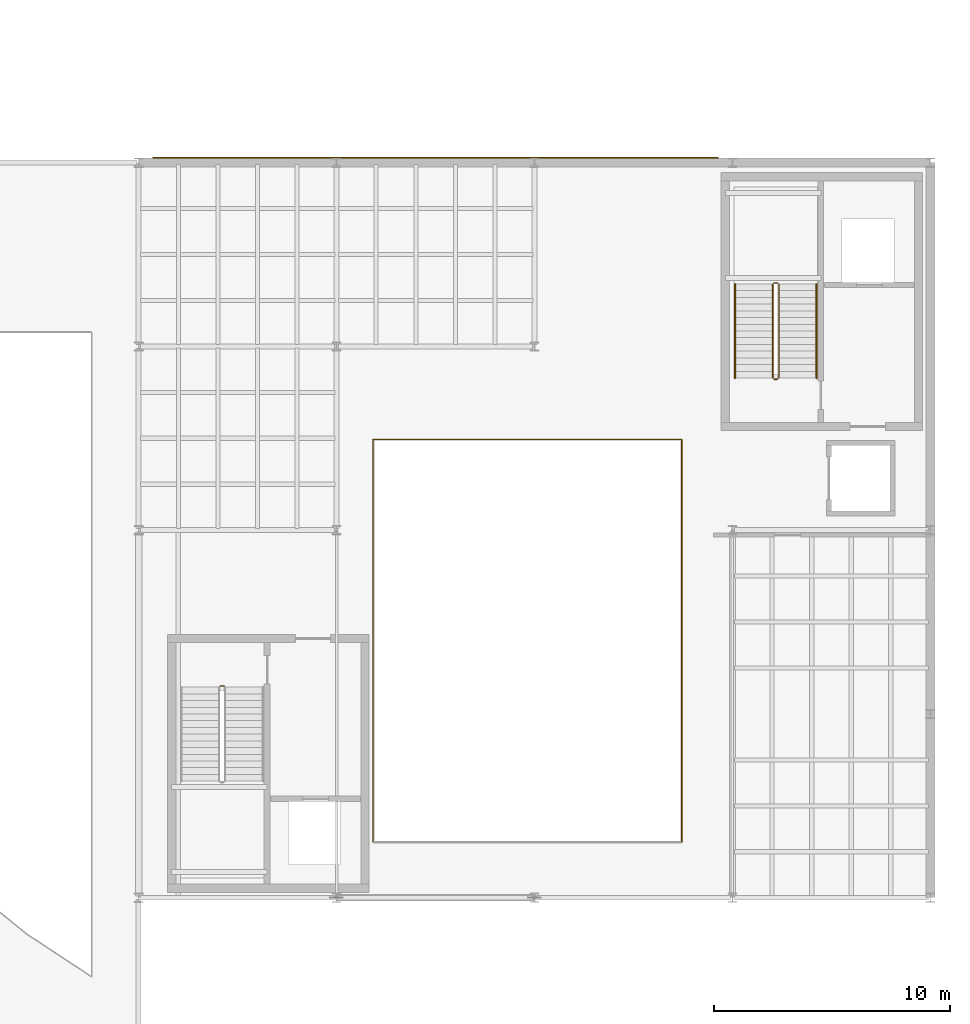
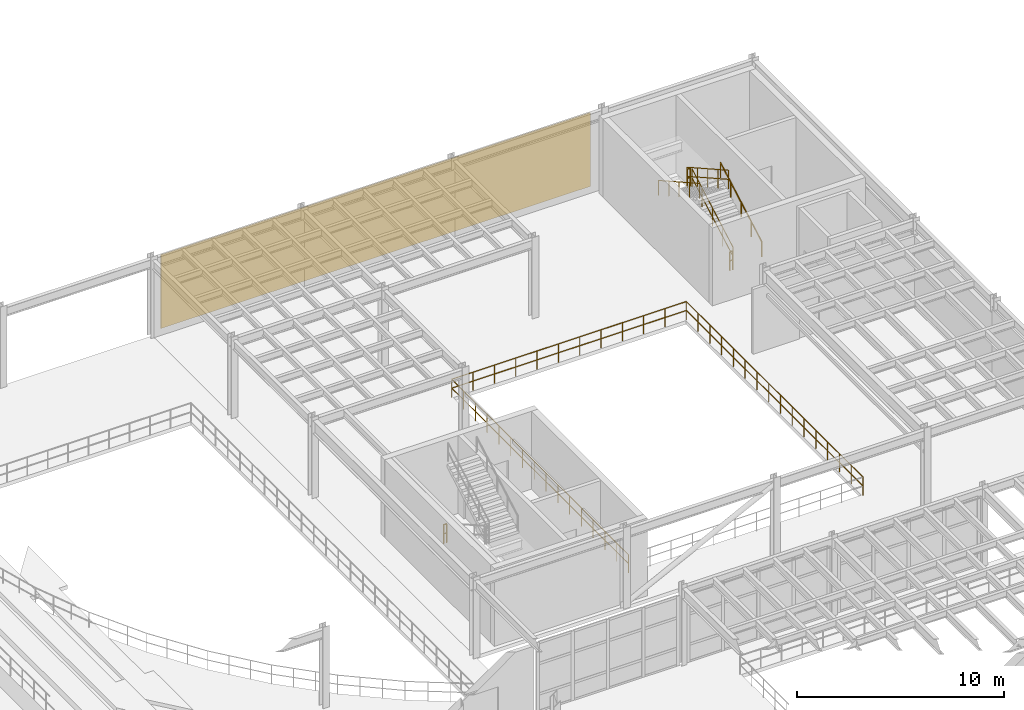
# One storey, part 101 of 105: 10 railings, 1 covering.
"""IFC4 building model written with IfcOpenShell, lengths in metres."""

from ifc_helpers import new_model, si_unit, direction, frame, origin, origin_2d, place, context, subcontext, project, spatial, polyline, circle, outline, extrude, material, layer, layer_set, type_object, element, save


model = new_model("IFC4")

# Units and contexts
model_context = context("Model", 3, precision=1e-05, world=origin(), true_north=direction((0.0, 1.0)))
body_context = subcontext(model_context, "Body", "Model", "MODEL_VIEW")
ifc_project = project(units=[si_unit("LENGTHUNIT", "METRE"), si_unit("AREAUNIT", "SQUARE_METRE"), si_unit("VOLUMEUNIT", "CUBIC_METRE"), si_unit("PLANEANGLEUNIT", "RADIAN"), si_unit("MASSUNIT", "GRAM", prefix="KILO")], contexts=[model_context])

# Site, building, storey
site_placement = place(None, origin())
site = spatial("IfcSite", under=ifc_project, at=site_placement, CompositionType="ELEMENT")
building_placement = place(site_placement, origin())
building = spatial("IfcBuilding", under=site, at=building_placement, Name="Selat Folded Stagehouse", CompositionType="ELEMENT")
storey_placement = place(building_placement, frame((0.0, 0.0, 10.199951171875)))
storey = spatial("IfcBuildingStorey", under=building, at=storey_placement, Name="L02", CompositionType="ELEMENT", Elevation=10.199951171875)

# Covering
ifc_material_1 = material(Name="Perforated bronze-anodised aluminium rainscreen", Category="aluminium")
ifc_layer_1 = layer(ifc_material_1, 0.044921875)
ifc_layer_set_1 = layer_set([ifc_layer_1], Name="Perforated bronze-anodised aluminium rainscreen")
covering_type = type_object("IfcCoveringType", Name="COV-CLAD-45A", PredefinedType="CLADDING", material=ifc_layer_set_1)
covering_placement = place(storey_placement, frame((0.0, 0.0, 0.10009765625)))
element("IfcCovering", 1, at=covering_placement, inside=storey, type_object=covering_type, Name="L02 fly-tower bronze rainscreen cladding 02", PredefinedType="CLADDING", context=body_context, shape_type="SweptSolid", body=[
    extrude(outline(polyline([(34.199951171875, 54.7900390625), (58.199951171875, 54.7900390625), (58.199951171875, 54.8349609375), (34.199951171875, 54.8349609375), (34.199951171875, 54.7900390625)])), origin(), (0.0, 0.0, 1.0), 4.349853515625),
])

# Railings
ifc_material_2 = material(Name="Bronze-anodised steel balustrade", Category="steel")
ifc_layer_2 = layer(ifc_material_2, 0.06494140625)
ifc_layer_set_2 = layer_set([ifc_layer_2], Name="Bronze-anodised steel balustrade")
railing_type_1 = type_object("IfcRailingType", Name="RLG-BAL-1120", PredefinedType="BALUSTRADE", material=ifc_layer_set_2)
railing_1_placement = place(storey_placement, frame((37.06005859375, 32.389892578125, 0.0)))
element("IfcRailing", 2, at=railing_1_placement, inside=storey, type_object=railing_type_1, Name="L02 ST-01 stair well guard 4", PredefinedType="BALUSTRADE", context=body_context, shape_type="SweptSolid", body=[
    extrude(circle(Radius=0.02392578125, at=origin_2d()), frame((0.0, 0.0, 1.09619140625), z_axis=(1.0, 0.0, 0.0), x_axis=(0.0, 1.0, 0.0)), (0.0, 0.0, 1.0), 0.159912109375),
    extrude(circle(Radius=0.02392578125, at=origin_2d()), frame((0.0, 0.0, 0.56005859375), z_axis=(1.0, 0.0, 0.0), x_axis=(0.0, 1.0, 0.0)), (0.0, 0.0, 1.0), 0.159912109375),
    extrude(circle(Radius=0.02099609375, at=origin_2d()), origin(), (0.0, 0.0, 1.0), 1.072021484375),
    extrude(circle(Radius=0.02099609375, at=origin_2d()), frame((0.159912109375, 0.0, 0.0)), (0.0, 0.0, 1.0), 1.072021484375),
])
railing_2_placement = place(storey_placement, frame((60.77001953125, 45.4599609375, 0.16015625)))
element("IfcRailing", 3, at=railing_2_placement, inside=storey, type_object=railing_type_1, Name="L02 ST-02 stair well guard 1", PredefinedType="BALUSTRADE", context=body_context, shape_type="SweptSolid", body=[
    extrude(circle(Radius=0.02392578125, at=origin_2d()), frame((0.0, 0.0, 1.09619140625), z_axis=(0.0, 0.871984184956, 0.489534044972), x_axis=(-1.0, 0.0, 0.0)), (0.0, 0.0, 1.0), 4.57568359375),
    extrude(circle(Radius=0.02392578125, at=origin_2d()), frame((0.0, 0.0, 0.56005859375), z_axis=(0.0, 0.871984184956, 0.489534044972), x_axis=(-1.0, 0.0, 0.0)), (0.0, 0.0, 1.0), 4.57568359375),
    extrude(circle(Radius=0.02099609375, at=origin_2d()), origin(), (0.0, 0.0, 1.0), 1.072021484375),
    extrude(circle(Radius=0.02099609375, at=origin_2d()), frame((0.0, 0.99755859375, 0.56005859375)), (0.0, 0.0, 1.0), 1.072021484375),
    extrude(circle(Radius=0.02099609375, at=origin_2d()), frame((0.0, 1.9951171875, 1.1201171875)), (0.0, 0.0, 1.0), 1.072021484375),
    extrude(circle(Radius=0.02099609375, at=origin_2d()), frame((0.0, 2.992431640625, 1.679931640625)), (0.0, 0.0, 1.0), 1.072021484375),
    extrude(circle(Radius=0.02099609375, at=origin_2d()), frame((0.0, 3.989990234375, 2.239990234375)), (0.0, 0.0, 1.0), 1.072021484375),
])
railing_3_placement = place(storey_placement, frame((60.719970703125, 49.5, 2.400146484375)))
element("IfcRailing", 4, at=railing_3_placement, inside=storey, type_object=railing_type_1, Name="L02 ST-02 stair well guard 2", PredefinedType="BALUSTRADE", context=body_context, shape_type="SweptSolid", body=[
    extrude(circle(Radius=0.02392578125, at=origin_2d()), frame((0.0, 0.0, 1.09619140625), z_axis=(-1.0, 0.0, 0.0), x_axis=(0.0, -1.0, 0.0)), (0.0, 0.0, 1.0), 0.159912109375),
    extrude(circle(Radius=0.02392578125, at=origin_2d()), frame((0.0, 0.0, 0.56005859375), z_axis=(-1.0, 0.0, 0.0), x_axis=(0.0, -1.0, 0.0)), (0.0, 0.0, 1.0), 0.159912109375),
    extrude(circle(Radius=0.02099609375, at=origin_2d()), origin(), (0.0, 0.0, 1.0), 1.072021484375),
    extrude(circle(Radius=0.02099609375, at=origin_2d()), frame((-0.159912109375, 0.0, 0.0)), (0.0, 0.0, 1.0), 1.072021484375),
])
railing_4_placement = place(storey_placement, frame((60.510009765625, 49.449951171875, 2.56005859375)))
element("IfcRailing", 5, at=railing_4_placement, inside=storey, type_object=railing_type_1, Name="L02 ST-02 stair well guard 3", PredefinedType="BALUSTRADE", context=body_context, shape_type="SweptSolid", body=[
    extrude(circle(Radius=0.02392578125, at=origin_2d()), frame((0.0, 0.0, 1.09619140625), z_axis=(0.0, -0.871984184956, 0.489534044972), x_axis=(1.0, 0.0, 0.0)), (0.0, 0.0, 1.0), 4.57568359375),
    extrude(circle(Radius=0.02392578125, at=origin_2d()), frame((0.0, 0.0, 0.56005859375), z_axis=(0.0, -0.871984184956, 0.489534044972), x_axis=(1.0, 0.0, 0.0)), (0.0, 0.0, 1.0), 4.57568359375),
    extrude(circle(Radius=0.02099609375, at=origin_2d()), origin(), (0.0, 0.0, 1.0), 1.072021484375),
    extrude(circle(Radius=0.02099609375, at=origin_2d()), frame((0.0, -0.99755859375, 0.56005859375)), (0.0, 0.0, 1.0), 1.072021484375),
    extrude(circle(Radius=0.02099609375, at=origin_2d()), frame((0.0, -1.9951171875, 1.1201171875)), (0.0, 0.0, 1.0), 1.072021484375),
    extrude(circle(Radius=0.02099609375, at=origin_2d()), frame((0.0, -2.992431640625, 1.679931640625)), (0.0, 0.0, 1.0), 1.072021484375),
    extrude(circle(Radius=0.02099609375, at=origin_2d()), frame((0.0, -3.989990234375, 2.239990234375)), (0.0, 0.0, 1.0), 1.072021484375),
])
railing_5_placement = place(storey_placement, frame((60.719970703125, 45.409912109375, 0.0)))
element("IfcRailing", 6, at=railing_5_placement, inside=storey, type_object=railing_type_1, Name="L02 ST-02 stair well guard 4", PredefinedType="BALUSTRADE", context=body_context, shape_type="SweptSolid", body=[
    extrude(circle(Radius=0.02392578125, at=origin_2d()), frame((0.0, 0.0, 1.09619140625), z_axis=(-1.0, 0.0, 0.0), x_axis=(0.0, -1.0, 0.0)), (0.0, 0.0, 1.0), 0.159912109375),
    extrude(circle(Radius=0.02392578125, at=origin_2d()), frame((0.0, 0.0, 0.56005859375), z_axis=(-1.0, 0.0, 0.0), x_axis=(0.0, -1.0, 0.0)), (0.0, 0.0, 1.0), 0.159912109375),
    extrude(circle(Radius=0.02099609375, at=origin_2d()), origin(), (0.0, 0.0, 1.0), 1.072021484375),
    extrude(circle(Radius=0.02099609375, at=origin_2d()), frame((-0.159912109375, 0.0, 0.0)), (0.0, 0.0, 1.0), 1.072021484375),
])
ifc_material_3 = material(Name="Stainless steel and laminated glass", Category="steel")
ifc_layer_3 = layer(ifc_material_3, 0.06005859375)
ifc_layer_set_3 = layer_set([ifc_layer_3], Name="Stainless steel and laminated glass")
railing_type_2 = type_object("IfcRailingType", Name="RLG-GUARD-1100", PredefinedType="GUARDRAIL", material=ifc_layer_set_3)
railing_6_placement = place(storey_placement, frame((56.64990234375, 25.75, 0.0)))
element("IfcRailing", 7, at=railing_6_placement, inside=storey, type_object=railing_type_2, Name="L02 protective guard railing 059", PredefinedType="GUARDRAIL", context=body_context, shape_type="SweptSolid", body=[
    extrude(circle(Radius=0.02392578125, at=origin_2d()), frame((0.0, 0.0, 1.076171875), z_axis=(0.0, 1.0, 0.0), x_axis=(-1.0, 0.0, 0.0)), (0.0, 0.0, 1.0), 17.10009765625),
    extrude(circle(Radius=0.02392578125, at=origin_2d()), frame((0.0, 0.0, 0.550048828125), z_axis=(0.0, 1.0, 0.0), x_axis=(-1.0, 0.0, 0.0)), (0.0, 0.0, 1.0), 17.10009765625),
    extrude(circle(Radius=0.02099609375, at=origin_2d()), origin(), (0.0, 0.0, 1.0), 1.052001953125),
    extrude(circle(Radius=0.02099609375, at=origin_2d()), frame((0.0, 1.139892578125, 0.0)), (0.0, 0.0, 1.0), 1.052001953125),
    extrude(circle(Radius=0.02099609375, at=origin_2d()), frame((0.0, 2.280029296875, 0.0)), (0.0, 0.0, 1.0), 1.052001953125),
    extrude(circle(Radius=0.02099609375, at=origin_2d()), frame((0.0, 3.419921875, 0.0)), (0.0, 0.0, 1.0), 1.052001953125),
    extrude(circle(Radius=0.02099609375, at=origin_2d()), frame((0.0, 4.56005859375, 0.0)), (0.0, 0.0, 1.0), 1.052001953125),
    extrude(circle(Radius=0.02099609375, at=origin_2d()), frame((0.0, 5.699951171875, 0.0)), (0.0, 0.0, 1.0), 1.052001953125),
    extrude(circle(Radius=0.02099609375, at=origin_2d()), frame((0.0, 6.840087890625, 0.0)), (0.0, 0.0, 1.0), 1.052001953125),
    extrude(circle(Radius=0.02099609375, at=origin_2d()), frame((0.0, 7.97998046875, 0.0)), (0.0, 0.0, 1.0), 1.052001953125),
    extrude(circle(Radius=0.02099609375, at=origin_2d()), frame((0.0, 9.1201171875, 0.0)), (0.0, 0.0, 1.0), 1.052001953125),
    extrude(circle(Radius=0.02099609375, at=origin_2d()), frame((0.0, 10.260009765625, 0.0)), (0.0, 0.0, 1.0), 1.052001953125),
    extrude(circle(Radius=0.02099609375, at=origin_2d()), frame((0.0, 11.400146484375, 0.0)), (0.0, 0.0, 1.0), 1.052001953125),
    extrude(circle(Radius=0.02099609375, at=origin_2d()), frame((0.0, 12.5400390625, 0.0)), (0.0, 0.0, 1.0), 1.052001953125),
    extrude(circle(Radius=0.02099609375, at=origin_2d()), frame((0.0, 13.68017578125, 0.0)), (0.0, 0.0, 1.0), 1.052001953125),
    extrude(circle(Radius=0.02099609375, at=origin_2d()), frame((0.0, 14.820068359375, 0.0)), (0.0, 0.0, 1.0), 1.052001953125),
    extrude(circle(Radius=0.02099609375, at=origin_2d()), frame((0.0, 15.960205078125, 0.0)), (0.0, 0.0, 1.0), 1.052001953125),
    extrude(circle(Radius=0.02099609375, at=origin_2d()), frame((0.0, 17.10009765625, 0.0)), (0.0, 0.0, 1.0), 1.052001953125),
])
railing_7_placement = place(storey_placement, frame((56.64990234375, 42.85009765625, 0.0)))
element("IfcRailing", 8, at=railing_7_placement, inside=storey, type_object=railing_type_2, Name="L02 protective guard railing 060", PredefinedType="GUARDRAIL", context=body_context, shape_type="SweptSolid", body=[
    extrude(circle(Radius=0.02392578125, at=origin_2d()), frame((0.0, 0.0, 1.076171875), z_axis=(-1.0, 0.0, 0.0), x_axis=(0.0, -1.0, 0.0)), (0.0, 0.0, 1.0), 13.099853515625),
    extrude(circle(Radius=0.02392578125, at=origin_2d()), frame((0.0, 0.0, 0.550048828125), z_axis=(-1.0, 0.0, 0.0), x_axis=(0.0, -1.0, 0.0)), (0.0, 0.0, 1.0), 13.099853515625),
    extrude(circle(Radius=0.02099609375, at=origin_2d()), origin(), (0.0, 0.0, 1.0), 1.052001953125),
    extrude(circle(Radius=0.02099609375, at=origin_2d()), frame((-1.19091796875, 0.0, 0.0)), (0.0, 0.0, 1.0), 1.052001953125),
    extrude(circle(Radius=0.02099609375, at=origin_2d()), frame((-2.3818359375, 0.0, 0.0)), (0.0, 0.0, 1.0), 1.052001953125),
    extrude(circle(Radius=0.02099609375, at=origin_2d()), frame((-3.57275390625, 0.0, 0.0)), (0.0, 0.0, 1.0), 1.052001953125),
    extrude(circle(Radius=0.02099609375, at=origin_2d()), frame((-4.763671875, 0.0, 0.0)), (0.0, 0.0, 1.0), 1.052001953125),
    extrude(circle(Radius=0.02099609375, at=origin_2d()), frame((-5.95458984375, 0.0, 0.0)), (0.0, 0.0, 1.0), 1.052001953125),
    extrude(circle(Radius=0.02099609375, at=origin_2d()), frame((-7.145263671875, 0.0, 0.0)), (0.0, 0.0, 1.0), 1.052001953125),
    extrude(circle(Radius=0.02099609375, at=origin_2d()), frame((-8.336181640625, 0.0, 0.0)), (0.0, 0.0, 1.0), 1.052001953125),
    extrude(circle(Radius=0.02099609375, at=origin_2d()), frame((-9.527099609375, 0.0, 0.0)), (0.0, 0.0, 1.0), 1.052001953125),
    extrude(circle(Radius=0.02099609375, at=origin_2d()), frame((-10.718017578125, 0.0, 0.0)), (0.0, 0.0, 1.0), 1.052001953125),
    extrude(circle(Radius=0.02099609375, at=origin_2d()), frame((-11.908935546875, 0.0, 0.0)), (0.0, 0.0, 1.0), 1.052001953125),
    extrude(circle(Radius=0.02099609375, at=origin_2d()), frame((-13.099853515625, 0.0, 0.0)), (0.0, 0.0, 1.0), 1.052001953125),
])
railing_8_placement = place(storey_placement, frame((43.550048828125, 42.85009765625, 0.0)))
element("IfcRailing", 9, at=railing_8_placement, inside=storey, type_object=railing_type_2, Name="L02 protective guard railing 061", PredefinedType="GUARDRAIL", context=body_context, shape_type="SweptSolid", body=[
    extrude(circle(Radius=0.02392578125, at=origin_2d()), frame((0.0, 0.0, 1.076171875), z_axis=(0.0, -1.0, 0.0), x_axis=(1.0, 0.0, 0.0)), (0.0, 0.0, 1.0), 17.10009765625),
    extrude(circle(Radius=0.02392578125, at=origin_2d()), frame((0.0, 0.0, 0.550048828125), z_axis=(0.0, -1.0, 0.0), x_axis=(1.0, 0.0, 0.0)), (0.0, 0.0, 1.0), 17.10009765625),
    extrude(circle(Radius=0.02099609375, at=origin_2d()), origin(), (0.0, 0.0, 1.0), 1.052001953125),
    extrude(circle(Radius=0.02099609375, at=origin_2d()), frame((0.0, -1.139892578125, 0.0)), (0.0, 0.0, 1.0), 1.052001953125),
    extrude(circle(Radius=0.02099609375, at=origin_2d()), frame((0.0, -2.280029296875, 0.0)), (0.0, 0.0, 1.0), 1.052001953125),
    extrude(circle(Radius=0.02099609375, at=origin_2d()), frame((0.0, -3.419921875, 0.0)), (0.0, 0.0, 1.0), 1.052001953125),
    extrude(circle(Radius=0.02099609375, at=origin_2d()), frame((0.0, -4.56005859375, 0.0)), (0.0, 0.0, 1.0), 1.052001953125),
    extrude(circle(Radius=0.02099609375, at=origin_2d()), frame((0.0, -5.699951171875, 0.0)), (0.0, 0.0, 1.0), 1.052001953125),
    extrude(circle(Radius=0.02099609375, at=origin_2d()), frame((0.0, -6.840087890625, 0.0)), (0.0, 0.0, 1.0), 1.052001953125),
    extrude(circle(Radius=0.02099609375, at=origin_2d()), frame((0.0, -7.97998046875, 0.0)), (0.0, 0.0, 1.0), 1.052001953125),
    extrude(circle(Radius=0.02099609375, at=origin_2d()), frame((0.0, -9.1201171875, 0.0)), (0.0, 0.0, 1.0), 1.052001953125),
    extrude(circle(Radius=0.02099609375, at=origin_2d()), frame((0.0, -10.260009765625, 0.0)), (0.0, 0.0, 1.0), 1.052001953125),
    extrude(circle(Radius=0.02099609375, at=origin_2d()), frame((0.0, -11.400146484375, 0.0)), (0.0, 0.0, 1.0), 1.052001953125),
    extrude(circle(Radius=0.02099609375, at=origin_2d()), frame((0.0, -12.5400390625, 0.0)), (0.0, 0.0, 1.0), 1.052001953125),
    extrude(circle(Radius=0.02099609375, at=origin_2d()), frame((0.0, -13.68017578125, 0.0)), (0.0, 0.0, 1.0), 1.052001953125),
    extrude(circle(Radius=0.02099609375, at=origin_2d()), frame((0.0, -14.820068359375, 0.0)), (0.0, 0.0, 1.0), 1.052001953125),
    extrude(circle(Radius=0.02099609375, at=origin_2d()), frame((0.0, -15.960205078125, 0.0)), (0.0, 0.0, 1.0), 1.052001953125),
    extrude(circle(Radius=0.02099609375, at=origin_2d()), frame((0.0, -17.10009765625, 0.0)), (0.0, 0.0, 1.0), 1.052001953125),
])
ifc_material_4 = material(Name="Brushed stainless steel 1.4301", Category="steel")
ifc_layer_4 = layer(ifc_material_4, 0.048095703125)
ifc_layer_set_4 = layer_set([ifc_layer_4], Name="Brushed stainless steel 1.4301")
railing_type_3 = type_object("IfcRailingType", Name="RLG-HANDRAIL-900", PredefinedType="HANDRAIL", material=ifc_layer_set_4)
railing_9_placement = place(storey_placement, frame((62.3701171875, 45.4599609375, 0.16015625)))
element("IfcRailing", 10, at=railing_9_placement, inside=storey, type_object=railing_type_3, Name="L02 ST-02 wall handrail 1", PredefinedType="HANDRAIL", context=body_context, shape_type="SweptSolid", body=[
    extrude(circle(Radius=0.02392578125, at=origin_2d()), frame((0.0, 0.0, 0.8759765625), z_axis=(0.0, 0.871984184956, 0.489534044972), x_axis=(-1.0, 0.0, 0.0)), (0.0, 0.0, 1.0), 4.57568359375),
    extrude(circle(Radius=0.02099609375, at=origin_2d()), origin(), (0.0, 0.0, 1.0), 0.851806640625),
    extrude(circle(Radius=0.02099609375, at=origin_2d()), frame((0.0, 0.99755859375, 0.56005859375)), (0.0, 0.0, 1.0), 0.851806640625),
    extrude(circle(Radius=0.02099609375, at=origin_2d()), frame((0.0, 1.9951171875, 1.1201171875)), (0.0, 0.0, 1.0), 0.851806640625),
    extrude(circle(Radius=0.02099609375, at=origin_2d()), frame((0.0, 2.992431640625, 1.679931640625)), (0.0, 0.0, 1.0), 0.851806640625),
    extrude(circle(Radius=0.02099609375, at=origin_2d()), frame((0.0, 3.989990234375, 2.239990234375)), (0.0, 0.0, 1.0), 0.851806640625),
])
railing_10_placement = place(storey_placement, frame((58.909912109375, 49.449951171875, 2.56005859375)))
element("IfcRailing", 11, at=railing_10_placement, inside=storey, type_object=railing_type_3, Name="L02 ST-02 wall handrail 2", PredefinedType="HANDRAIL", context=body_context, shape_type="SweptSolid", body=[
    extrude(circle(Radius=0.02392578125, at=origin_2d()), frame((0.0, 0.0, 0.8759765625), z_axis=(0.0, -0.871984184956, 0.489534044972), x_axis=(1.0, 0.0, 0.0)), (0.0, 0.0, 1.0), 4.57568359375),
    extrude(circle(Radius=0.02099609375, at=origin_2d()), origin(), (0.0, 0.0, 1.0), 0.851806640625),
    extrude(circle(Radius=0.02099609375, at=origin_2d()), frame((0.0, -0.99755859375, 0.56005859375)), (0.0, 0.0, 1.0), 0.851806640625),
    extrude(circle(Radius=0.02099609375, at=origin_2d()), frame((0.0, -1.9951171875, 1.1201171875)), (0.0, 0.0, 1.0), 0.851806640625),
    extrude(circle(Radius=0.02099609375, at=origin_2d()), frame((0.0, -2.992431640625, 1.679931640625)), (0.0, 0.0, 1.0), 0.851806640625),
    extrude(circle(Radius=0.02099609375, at=origin_2d()), frame((0.0, -3.989990234375, 2.239990234375)), (0.0, 0.0, 1.0), 0.851806640625),
])

save(model, "model.ifc")
